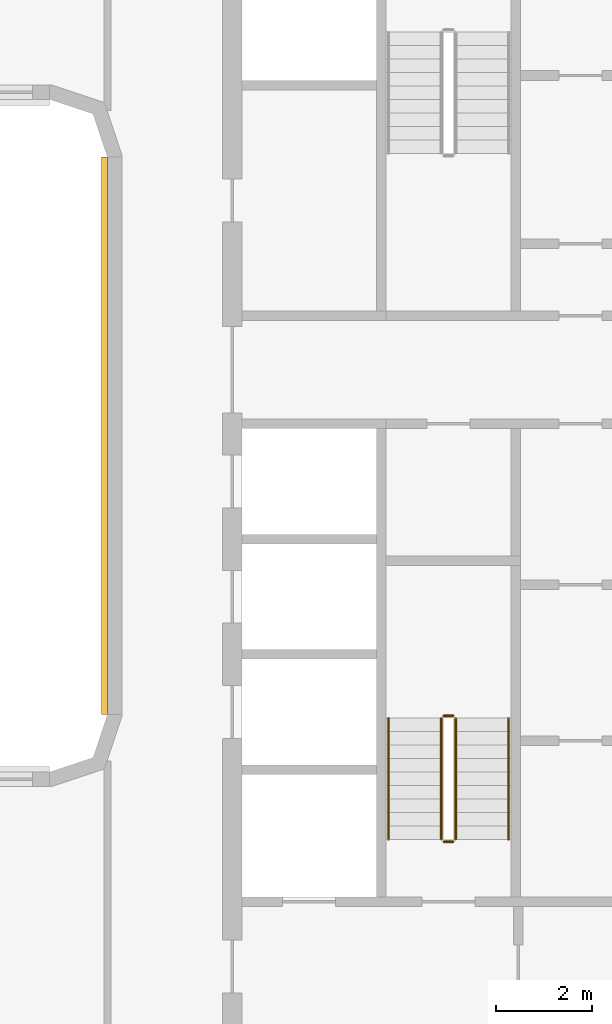
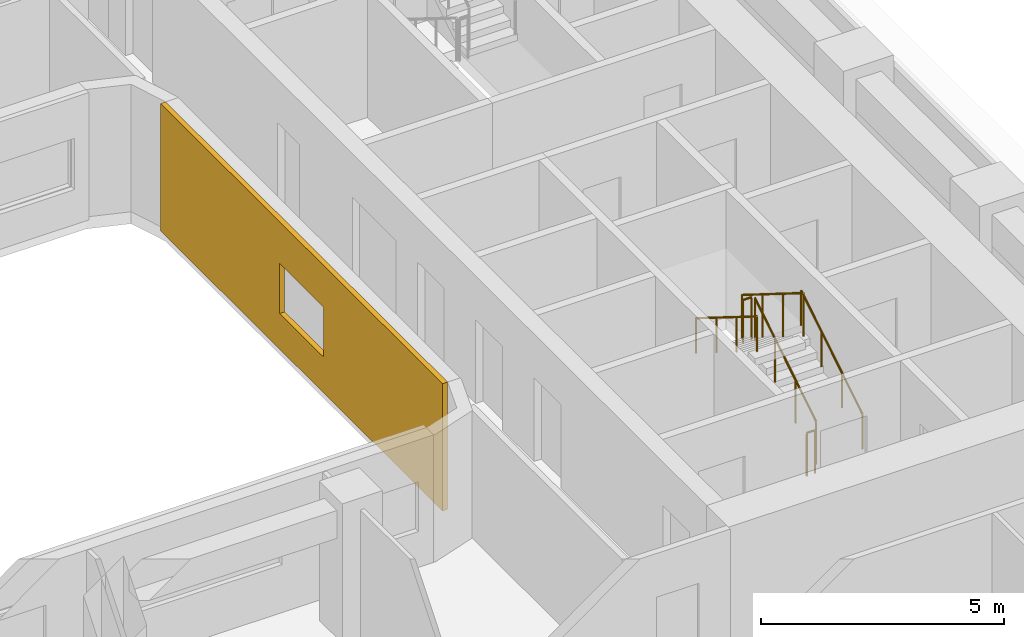
# One storey, part 17 of 22: 6 railings, 1 covering.
"""IFC4 building model written with IfcOpenShell, lengths in metres."""

import ifcopenshell
import ifcopenshell.guid

model = None  # the IFC model being written
_history = None  # IfcOwnerHistory: only IFC2X3 demands one
_inside = {}  # id of a spatial element -> (the spatial element, [elements in it])
_under = {}  # id of a project, library or spatial element -> (it, [spatial elements below it])
_declared = {}  # id of a project -> (the project, [libraries it declares])
_typed = {}  # id of a type object -> (the type object, [elements of that type])
_made_of = {}  # id of a material, layer set ... -> (it, [elements and type objects made of it])


def new_model(schema):
    """Start an empty IFC model of exactly this schema.

    Asked for "IFC4X3", IfcOpenShell would pick the latest addendum, in which some entities
    have other attributes; the version numbers below select the first issue.
    IFC2X3 requires an IfcOwnerHistory on every rooted entity: one is made here for all.
    """
    global model, _history
    if schema == "IFC4X3":
        model = ifcopenshell.file(schema_version=(4, 3, 0, 0))
    else:
        model = ifcopenshell.file(schema=schema)
    _inside.clear()
    _under.clear()
    _declared.clear()
    _typed.clear()
    _made_of.clear()
    _history = None
    if model.schema == "IFC2X3":
        org = make("IfcOrganization", Name="unknown")
        user = make(
            "IfcPersonAndOrganization",
            ThePerson=make("IfcPerson", FamilyName="unknown"),
            TheOrganization=org,
        )
        app = make(
            "IfcApplication",
            ApplicationDeveloper=org,
            Version="unknown",
            ApplicationFullName="unknown",
            ApplicationIdentifier="unknown",
        )
        _history = make(
            "IfcOwnerHistory",
            OwningUser=user,
            OwningApplication=app,
            ChangeAction="ADDED",
            CreationDate=0,
        )
    return model


def make(cls, **values):
    """One entity of the class cls with the attributes given. An attribute that is None is left unset."""
    return model.create_entity(
        cls, **{name: value for name, value in values.items() if value is not None}
    )


def rooted(cls, **values):
    """An entity with a GlobalId (a new one), such as an element, a storey or a relation."""
    return make(cls, GlobalId=ifcopenshell.guid.new(), OwnerHistory=_history, **values)


def si_unit(unit_type, name, prefix=None):
    """IfcSIUnit, for example si_unit("LENGTHUNIT", "METRE", prefix="MILLI")."""
    return make("IfcSIUnit", UnitType=unit_type, Prefix=prefix, Name=name)


def assignment(units):
    """IfcUnitAssignment: the units of a project."""
    return None if units is None else make("IfcUnitAssignment", Units=units)


def point(xyz):
    """IfcCartesianPoint."""
    return None if xyz is None else make("IfcCartesianPoint", Coordinates=xyz)


def direction(xyz):
    """IfcDirection."""
    return None if xyz is None else make("IfcDirection", DirectionRatios=xyz)


def frame(location, z_axis=None, x_axis=None):
    """IfcAxis2Placement3D, a coordinate frame: its origin and axes. An axis left out is left unset."""
    return make(
        "IfcAxis2Placement3D",
        Location=point(location),
        Axis=direction(z_axis),
        RefDirection=direction(x_axis),
    )


def frame_2d(location, x_axis=None):
    """IfcAxis2Placement2D, a coordinate frame in the plane: its origin and x axis."""
    return make(
        "IfcAxis2Placement2D", Location=point(location), RefDirection=direction(x_axis)
    )


def origin():
    """The frame at (0, 0, 0) with its axes left unset."""
    return frame((0.0, 0.0, 0.0))


def origin_2d():
    """The frame at (0, 0) in the plane with its x axis left unset."""
    return frame_2d((0.0, 0.0))


def place(relative_to, where):
    """IfcLocalPlacement: puts the frame where relative to a parent placement (None: the world)."""
    return make(
        "IfcLocalPlacement", PlacementRelTo=relative_to, RelativePlacement=where
    )


def context(
    kind, dimensions, precision=None, world=None, true_north=None, identifier=None
):
    """IfcGeometricRepresentationContext, for example the 3D "Model" context."""
    return make(
        "IfcGeometricRepresentationContext",
        ContextIdentifier=identifier,
        ContextType=kind,
        CoordinateSpaceDimension=dimensions,
        Precision=precision,
        WorldCoordinateSystem=world,
        TrueNorth=true_north,
    )


def subcontext(parent, identifier, kind, view, scale=None):
    """IfcGeometricRepresentationSubContext, for example "Body" below "Model"."""
    return make(
        "IfcGeometricRepresentationSubContext",
        ContextIdentifier=identifier,
        ContextType=kind,
        ParentContext=parent,
        TargetScale=scale,
        TargetView=view,
    )


def project(units=None, contexts=None):
    """IfcProject with its units and contexts."""
    return rooted(
        "IfcProject",
        Name="project",
        RepresentationContexts=contexts,
        UnitsInContext=assignment(units),
    )


def spatial(cls, under=None, at=None, **own):
    """A site, building, storey or space (cls), placed at a placement, below another one or the project."""
    s = rooted(cls, ObjectPlacement=at, **own)
    if under is not None:
        _under.setdefault(under.id(), (under, []))[1].append(s)
    return s


def polyline(points):
    """IfcPolyline through the points."""
    return make("IfcPolyline", Points=[point(p) for p in points])


def profile(cls, at=None, kind="AREA", **sizes):
    """A parametric profile (cls). Its sizes go by their IFC names, for example OverallWidth=200.0."""
    return make(cls, ProfileType=kind, Position=at, **sizes)


def circle(**sizes):
    """IfcCircleProfileDef."""
    return profile("IfcCircleProfileDef", **sizes)


def outline(outer, holes=None, kind="AREA"):
    """IfcArbitraryClosedProfileDef: a profile drawn as a closed curve; with holes, ...WithVoids."""
    if holes is None:
        return make("IfcArbitraryClosedProfileDef", ProfileType=kind, OuterCurve=outer)
    return make(
        "IfcArbitraryProfileDefWithVoids",
        ProfileType=kind,
        OuterCurve=outer,
        InnerCurves=holes,
    )


def extrude(swept, where, along, depth):
    """IfcExtrudedAreaSolid: the profile swept, set in the frame where, extruded along a direction by depth."""
    return make(
        "IfcExtrudedAreaSolid",
        SweptArea=swept,
        Position=where,
        ExtrudedDirection=direction(along),
        Depth=depth,
    )


def shape(context_of_items, identifier, shape_type, items):
    """IfcShapeRepresentation: the items that make up one representation, for example the "Body"."""
    return make(
        "IfcShapeRepresentation",
        ContextOfItems=context_of_items,
        RepresentationIdentifier=identifier,
        RepresentationType=shape_type,
        Items=items,
    )


def material(Name=None, Category=None):
    """IfcMaterial."""
    return make("IfcMaterial", Name=Name, Category=Category)


def layer(
    of_material, thickness, ventilated=None, Name=None, Category=None, Priority=None
):
    """IfcMaterialLayer: one layer of a wall or slab, of a material (None: an air gap)."""
    return make(
        "IfcMaterialLayer",
        Material=of_material,
        LayerThickness=thickness,
        IsVentilated=ventilated,
        Name=Name,
        Category=Category,
        Priority=Priority,
    )


def layer_set(layers, Name=None):
    """IfcMaterialLayerSet."""
    return make("IfcMaterialLayerSet", MaterialLayers=layers, LayerSetName=Name)


def made_of(thing, what):
    """Note that an element or type object is made of a material, layer set ...; save() writes the relation."""
    if what is not None:
        _made_of.setdefault(what.id(), (what, []))[1].append(thing)
    return thing


def type_object(cls, material=None, **own):
    """A type object (cls), such as IfcWallType, which elements share."""
    return made_of(rooted(cls, **own), material)


def element(
    cls,
    number,
    at=None,
    inside=None,
    cuts=None,
    type_object=None,
    material=None,
    context=None,
    identifier="Body",
    shape_type=None,
    held_by="IfcProductDefinitionShape",
    body=None,
    shapes=None,
    **own,
):
    """One element of the class cls, such as IfcWall. Its Tag is "e" and its number.

    at: its placement. inside: the storey or other place that contains it. cuts: it is an
    opening in that element (IfcRelVoidsElement). A single representation is given by context,
    identifier, shape_type and body (its items); several are given by shapes. held_by: the class
    of the entity that holds the representations. save() writes the other relations.
    """
    e = rooted(cls, Tag="e%d" % number, ObjectPlacement=at, **own)
    if body is not None:
        shapes = [shape(context, identifier, shape_type, body)]
    if shapes is not None:
        e.Representation = make(held_by, Representations=shapes)
    if inside is not None:
        _inside.setdefault(inside.id(), (inside, []))[1].append(e)
    if cuts is not None:
        rooted(
            "IfcRelVoidsElement", RelatingBuildingElement=cuts, RelatedOpeningElement=e
        )
    if type_object is not None:
        _typed.setdefault(type_object.id(), (type_object, []))[1].append(e)
    return made_of(e, material)


def aggregate(whole, parts):
    """IfcRelAggregates: a whole, such as a stair, and the parts it consists of."""
    return rooted("IfcRelAggregates", RelatingObject=whole, RelatedObjects=parts)


def save(model, path):
    """Write the relations noted so far, then the file.

    IfcRelAggregates (storeys below a building ...), IfcRelContainedInSpatialStructure (elements
    in a storey), IfcRelDefinesByType, IfcRelAssociatesMaterial and IfcRelDeclares: one each for
    every whole, place, type object, material and project.
    """
    for whole, parts in _under.values():
        aggregate(whole, parts)
    for where, things in _inside.values():
        rooted(
            "IfcRelContainedInSpatialStructure",
            RelatedElements=things,
            RelatingStructure=where,
        )
    for kind, things in _typed.values():
        rooted("IfcRelDefinesByType", RelatedObjects=things, RelatingType=kind)
    for what, things in _made_of.values():
        rooted("IfcRelAssociatesMaterial", RelatedObjects=things, RelatingMaterial=what)
    for by, libraries in _declared.values():
        rooted("IfcRelDeclares", RelatingContext=by, RelatedDefinitions=libraries)
    model.write(path)


model = new_model("IFC4")

# Units and contexts
model_context = context("Model", 3, precision=1e-05, world=origin(), true_north=direction((0.0, 1.0)))
body_context = subcontext(model_context, "Body", "Model", "MODEL_VIEW")
ifc_project = project(units=[si_unit("LENGTHUNIT", "METRE"), si_unit("AREAUNIT", "SQUARE_METRE"), si_unit("VOLUMEUNIT", "CUBIC_METRE"), si_unit("PLANEANGLEUNIT", "RADIAN"), si_unit("MASSUNIT", "GRAM", prefix="KILO")], contexts=[model_context])

# Site, building, storey
site_placement = place(None, origin())
site = spatial("IfcSite", under=ifc_project, at=site_placement, CompositionType="ELEMENT")
building_placement = place(site_placement, origin())
building = spatial("IfcBuilding", under=site, at=building_placement, Name="Kiln Ring Residences", CompositionType="ELEMENT")
storey_placement = place(building_placement, frame((0.0, 0.0, 111.300048828125)))
storey = spatial("IfcBuildingStorey", under=building, at=storey_placement, Name="L28", CompositionType="ELEMENT", Elevation=111.300048828125)

# Railings
ifc_material_1 = material(Name="Stainless steel", Category="steel")
railing_type_1 = type_object("IfcRailingType", Name="CORE-STAIR-GUARD", PredefinedType="GUARDRAIL", material=ifc_material_1)
railing_1_placement = place(storey_placement, frame((22.25, -8.39990234375, 0.175048828125)))
element("IfcRailing", 1, at=railing_1_placement, inside=storey, type_object=railing_type_1, Name="L28 E-STS stair guard 1", PredefinedType="GUARDRAIL", context=body_context, shape_type="SweptSolid", body=[
    extrude(circle(Radius=0.02392578125, at=origin_2d()), frame((0.0, 0.0, 1.076171875), z_axis=(0.0, 0.848007534815, 0.529984170421), x_axis=(-1.0, 0.0, 0.0)), (0.0, 0.0, 1.0), 2.9716796875),
    extrude(circle(Radius=0.02099609375, at=origin_2d()), origin(), (0.0, 0.0, 1.0), 1.052001953125),
    extrude(circle(Radius=0.02099609375, at=origin_2d()), frame((0.0, 0.840087890625, 0.52490234375)), (0.0, 0.0, 1.0), 1.052001953125),
    extrude(circle(Radius=0.02099609375, at=origin_2d()), frame((0.0, 1.679931640625, 1.050048828125)), (0.0, 0.0, 1.0), 1.052001953125),
    extrude(circle(Radius=0.02099609375, at=origin_2d()), frame((0.0, 2.52001953125, 1.574951171875)), (0.0, 0.0, 1.0), 1.052001953125),
])
railing_2_placement = place(storey_placement, frame((22.199951171875, -5.830078125, 1.75)))
element("IfcRailing", 2, at=railing_2_placement, inside=storey, type_object=railing_type_1, Name="L28 E-STS stair guard 2", PredefinedType="GUARDRAIL", context=body_context, shape_type="SweptSolid", body=[
    extrude(circle(Radius=0.02392578125, at=origin_2d()), frame((0.0, 0.0, 1.076171875), z_axis=(-1.0, 0.0, 0.0), x_axis=(0.0, -1.0, 0.0)), (0.0, 0.0, 1.0), 0.199951171875),
    extrude(circle(Radius=0.02099609375, at=origin_2d()), origin(), (0.0, 0.0, 1.0), 1.052001953125),
    extrude(circle(Radius=0.02099609375, at=origin_2d()), frame((-0.199951171875, 0.0, 0.0)), (0.0, 0.0, 1.0), 1.052001953125),
])
railing_3_placement = place(storey_placement, frame((21.949951171875, -5.8798828125, 1.925048828125)))
element("IfcRailing", 3, at=railing_3_placement, inside=storey, type_object=railing_type_1, Name="L28 E-STS stair guard 3", PredefinedType="GUARDRAIL", context=body_context, shape_type="SweptSolid", body=[
    extrude(circle(Radius=0.02392578125, at=origin_2d()), frame((0.0, 0.0, 1.076171875), z_axis=(0.0, -0.848007534815, 0.529984170421), x_axis=(1.0, 0.0, 0.0)), (0.0, 0.0, 1.0), 2.9716796875),
    extrude(circle(Radius=0.02099609375, at=origin_2d()), origin(), (0.0, 0.0, 1.0), 1.052001953125),
    extrude(circle(Radius=0.02099609375, at=origin_2d()), frame((0.0, -0.840087890625, 0.52490234375)), (0.0, 0.0, 1.0), 1.052001953125),
    extrude(circle(Radius=0.02099609375, at=origin_2d()), frame((0.0, -1.679931640625, 1.050048828125)), (0.0, 0.0, 1.0), 1.052001953125),
    extrude(circle(Radius=0.02099609375, at=origin_2d()), frame((0.0, -2.52001953125, 1.574951171875)), (0.0, 0.0, 1.0), 1.052001953125),
])
railing_4_placement = place(storey_placement, frame((22.199951171875, -8.449951171875, 0.0)))
element("IfcRailing", 4, at=railing_4_placement, inside=storey, type_object=railing_type_1, Name="L28 E-STS stair guard 4", PredefinedType="GUARDRAIL", context=body_context, shape_type="SweptSolid", body=[
    extrude(circle(Radius=0.02392578125, at=origin_2d()), frame((0.0, 0.0, 1.076171875), z_axis=(-1.0, 0.0, 0.0), x_axis=(0.0, -1.0, 0.0)), (0.0, 0.0, 1.0), 0.199951171875),
    extrude(circle(Radius=0.02099609375, at=origin_2d()), origin(), (0.0, 0.0, 1.0), 1.052001953125),
    extrude(circle(Radius=0.02099609375, at=origin_2d()), frame((-0.199951171875, 0.0, 0.0)), (0.0, 0.0, 1.0), 1.052001953125),
])
ifc_material_2 = material(Name="Stainless steel", Category="steel")
railing_type_2 = type_object("IfcRailingType", Name="CORE-STAIR-HANDRAIL", PredefinedType="HANDRAIL", material=ifc_material_2)
railing_5_placement = place(storey_placement, frame((23.35009765625, -8.39990234375, 0.175048828125)))
element("IfcRailing", 5, at=railing_5_placement, inside=storey, type_object=railing_type_2, Name="L28 E-STS stair handrail 1", PredefinedType="HANDRAIL", context=body_context, shape_type="SweptSolid", body=[
    extrude(circle(Radius=0.02392578125, at=origin_2d()), frame((0.0, 0.0, 0.8759765625), z_axis=(0.0, 0.848007534815, 0.529984170421), x_axis=(-1.0, 0.0, 0.0)), (0.0, 0.0, 1.0), 2.9716796875),
    extrude(circle(Radius=0.02099609375, at=origin_2d()), origin(), (0.0, 0.0, 1.0), 0.851806640625),
    extrude(circle(Radius=0.02099609375, at=origin_2d()), frame((0.0, 0.840087890625, 0.52490234375)), (0.0, 0.0, 1.0), 0.851806640625),
    extrude(circle(Radius=0.02099609375, at=origin_2d()), frame((0.0, 1.679931640625, 1.050048828125)), (0.0, 0.0, 1.0), 0.851806640625),
    extrude(circle(Radius=0.02099609375, at=origin_2d()), frame((0.0, 2.52001953125, 1.574951171875)), (0.0, 0.0, 1.0), 0.851806640625),
])
railing_6_placement = place(storey_placement, frame((20.85009765625, -5.8798828125, 1.925048828125)))
element("IfcRailing", 6, at=railing_6_placement, inside=storey, type_object=railing_type_2, Name="L28 E-STS stair handrail 2", PredefinedType="HANDRAIL", context=body_context, shape_type="SweptSolid", body=[
    extrude(circle(Radius=0.02392578125, at=origin_2d()), frame((0.0, 0.0, 0.8759765625), z_axis=(0.0, -0.848007534815, 0.529984170421), x_axis=(1.0, 0.0, 0.0)), (0.0, 0.0, 1.0), 2.9716796875),
    extrude(circle(Radius=0.02099609375, at=origin_2d()), origin(), (0.0, 0.0, 1.0), 0.851806640625),
    extrude(circle(Radius=0.02099609375, at=origin_2d()), frame((0.0, -0.840087890625, 0.52490234375)), (0.0, 0.0, 1.0), 0.851806640625),
    extrude(circle(Radius=0.02099609375, at=origin_2d()), frame((0.0, -1.679931640625, 1.050048828125)), (0.0, 0.0, 1.0), 0.851806640625),
    extrude(circle(Radius=0.02099609375, at=origin_2d()), frame((0.0, -2.52001953125, 1.574951171875)), (0.0, 0.0, 1.0), 0.851806640625),
])

# Covering
ifc_material_3 = material(Name="Brick masonry, dark clay brick", Category="masonry")
ifc_layer = layer(ifc_material_3, 0.1201171875)
ifc_layer_set = layer_set([ifc_layer], Name="RAINSCREEN PANEL 120")
covering_type = type_object("IfcCoveringType", Name="RAINSCREEN PANEL 120", PredefinedType="CLADDING", material=ifc_layer_set)
covering_placement = place(storey_placement, frame((14.93994140625, 5.800048828125, 0.0), z_axis=(0.0, 0.0, 1.0), x_axis=(0.0, -1.0, 0.0)))
element("IfcCovering", 7, at=covering_placement, inside=storey, type_object=covering_type, Name="RAINSCREEN L28", PredefinedType="CLADDING", context=body_context, shape_type="SweptSolid", body=[
    extrude(outline(polyline([(0.0, 0.0), (11.60009765625, 0.0), (11.60009765625, 3.199951171875), (0.0, 3.199951171875), (0.0, 0.0)]), holes=[polyline([(4.89990234375, 2.14990234375), (4.89990234375, 0.89990234375), (6.699951171875, 0.89990234375), (6.699951171875, 2.14990234375), (4.89990234375, 2.14990234375)])]), frame((0.0, 0.06005859375, 0.0), z_axis=(0.0, -1.0, 0.0), x_axis=(1.0, 0.0, 0.0)), (0.0, 0.0, 1.0), 0.1201171875),
])

save(model, "model.ifc")
